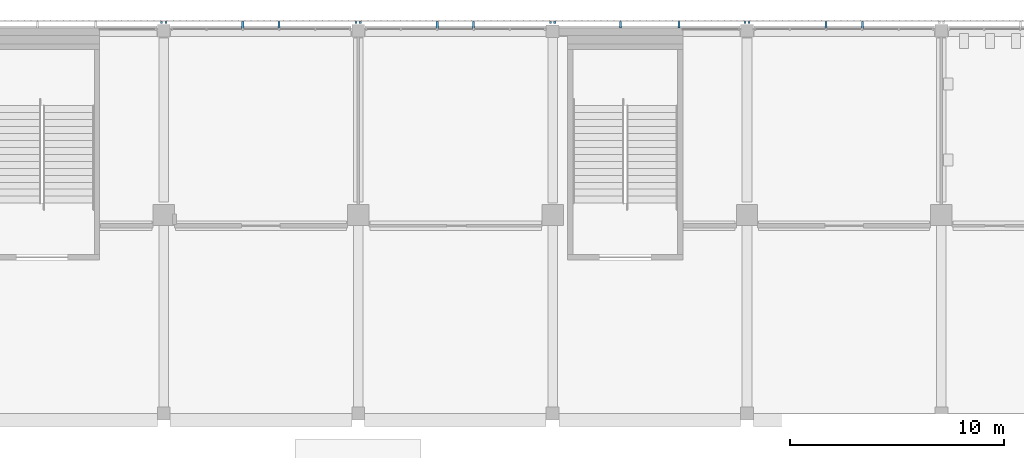
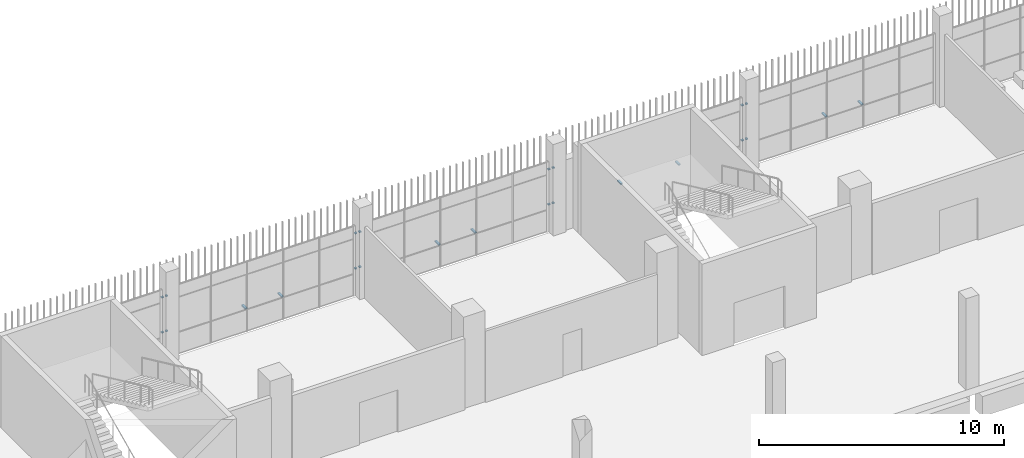
# One storey, part 102 of 126: 24 discrete accessories.
"""IFC4 building model written with IfcOpenShell, lengths in metres."""

from ifc_helpers import new_model, si_unit, direction, frame, origin, origin_2d, place, context, subcontext, project, spatial, rectangle, extrude, material, type_object, element, save


model = new_model("IFC4")

# Units and contexts
model_context = context("Model", 3, precision=1e-05, world=origin(), true_north=direction((0.0, 1.0)))
body_context = subcontext(model_context, "Body", "Model", "MODEL_VIEW")
ifc_project = project(units=[si_unit("LENGTHUNIT", "METRE"), si_unit("AREAUNIT", "SQUARE_METRE"), si_unit("VOLUMEUNIT", "CUBIC_METRE"), si_unit("PLANEANGLEUNIT", "RADIAN"), si_unit("MASSUNIT", "GRAM", prefix="KILO")], contexts=[model_context])

# Site, building, storey
site_placement = place(None, origin())
site = spatial("IfcSite", under=ifc_project, at=site_placement, CompositionType="ELEMENT")
building_placement = place(site_placement, origin())
building = spatial("IfcBuilding", under=site, at=building_placement, Name="Shirokan Park Arena", CompositionType="ELEMENT")
storey_placement = place(building_placement, frame((0.0, 0.0, 6.3701171875)))
storey = spatial("IfcBuildingStorey", under=building, at=storey_placement, Name="L01", CompositionType="ELEMENT", Elevation=6.3701171875)

# Discrete accessories
ifc_material = material(Name="Steel S355", Category="steel")
discrete_accessory_type = type_object("IfcDiscreteAccessoryType", Name="Veil bracket 100x60", PredefinedType="BRACKET", material=ifc_material)
for number, where, z_axis, x_axis, name in (
    (1, (91.10009765625, 109.597412109375, 1.06982421875), (0.0, 0.0, 1.0), (-1.0, 0.0, 0.0), "Veil bracket north bay 6 L01 2"),
    (2, (91.10009765625, 109.597412109375, 2.81982421875), (0.0, 0.0, 1.0), (-1.0, 0.0, 0.0), "Veil bracket north bay 6 L01 4"),
):
    element("IfcDiscreteAccessory", number, at=place(storey_placement, frame(where, z_axis=z_axis, x_axis=x_axis)), inside=storey, type_object=discrete_accessory_type, Name=name, PredefinedType="BRACKET", context=body_context, shape_type="SweptSolid", body=[
        extrude(rectangle(XDim=0.10009765625, YDim=0.094970703125, at=origin_2d()), origin(), (0.0, 0.0, 1.0), 0.06005859375),
    ])
for number, where, z_axis, x_axis, name in (
    (3, (96.39990234375, 109.485107421875, 1.06982421875), (0.0, 0.0, 1.0), (-1.0, 0.0, 0.0), "Veil bracket north bay 6 L01 wall 1"),
    (4, (94.699951171875, 109.485107421875, 1.06982421875), (0.0, 0.0, 1.0), (-1.0, 0.0, 0.0), "Veil bracket north bay 6 L01 wall 2"),
):
    element("IfcDiscreteAccessory", number, at=place(storey_placement, frame(where, z_axis=z_axis, x_axis=x_axis)), inside=storey, type_object=discrete_accessory_type, Name=name, PredefinedType="BRACKET", context=body_context, shape_type="SweptSolid", body=[
        extrude(rectangle(XDim=0.10009765625, YDim=0.320068359375, at=origin_2d()), origin(), (0.0, 0.0, 1.0), 0.06005859375),
    ])
for number, where, z_axis, x_axis, name in (
    (5, (90.89990234375, 109.597412109375, 1.06982421875), (0.0, 0.0, 1.0), (-1.0, 0.0, 0.0), "Veil bracket north bay 7 L01 1"),
    (6, (82.0, 109.597412109375, 1.06982421875), (0.0, 0.0, 1.0), (-1.0, 0.0, 0.0), "Veil bracket north bay 7 L01 2"),
    (7, (90.89990234375, 109.597412109375, 2.81982421875), (0.0, 0.0, 1.0), (-1.0, 0.0, 0.0), "Veil bracket north bay 7 L01 3"),
    (8, (82.0, 109.597412109375, 2.81982421875), (0.0, 0.0, 1.0), (-1.0, 0.0, 0.0), "Veil bracket north bay 7 L01 4"),
):
    element("IfcDiscreteAccessory", number, at=place(storey_placement, frame(where, z_axis=z_axis, x_axis=x_axis)), inside=storey, type_object=discrete_accessory_type, Name=name, PredefinedType="BRACKET", context=body_context, shape_type="SweptSolid", body=[
        extrude(rectangle(XDim=0.10009765625, YDim=0.094970703125, at=origin_2d()), origin(), (0.0, 0.0, 1.0), 0.06005859375),
    ])
for number, where, z_axis, x_axis, name in (
    (9, (87.81494140625, 109.49755859375, 1.06982421875), (0.0, 0.0, 1.0), (-1.0, 0.0, 0.0), "Veil bracket north bay 7 L01 wall 1"),
    (10, (85.0849609375, 109.49755859375, 1.06982421875), (0.0, 0.0, 1.0), (-1.0, 0.0, 0.0), "Veil bracket north bay 7 L01 wall 2"),
):
    element("IfcDiscreteAccessory", number, at=place(storey_placement, frame(where, z_axis=z_axis, x_axis=x_axis)), inside=storey, type_object=discrete_accessory_type, Name=name, PredefinedType="BRACKET", context=body_context, shape_type="SweptSolid", body=[
        extrude(rectangle(XDim=0.10009765625, YDim=0.294921875, at=origin_2d()), origin(), (0.0, 0.0, 1.0), 0.06005859375),
    ])
for number, where, z_axis, x_axis, name in (
    (11, (81.800048828125, 109.597412109375, 1.06982421875), (0.0, 0.0, 1.0), (-1.0, 0.0, 0.0), "Veil bracket north bay 8 L01 1"),
    (12, (72.89990234375, 109.597412109375, 1.06982421875), (0.0, 0.0, 1.0), (-1.0, 0.0, 0.0), "Veil bracket north bay 8 L01 2"),
    (13, (81.800048828125, 109.597412109375, 2.81982421875), (0.0, 0.0, 1.0), (-1.0, 0.0, 0.0), "Veil bracket north bay 8 L01 3"),
    (14, (72.89990234375, 109.597412109375, 2.81982421875), (0.0, 0.0, 1.0), (-1.0, 0.0, 0.0), "Veil bracket north bay 8 L01 4"),
):
    element("IfcDiscreteAccessory", number, at=place(storey_placement, frame(where, z_axis=z_axis, x_axis=x_axis)), inside=storey, type_object=discrete_accessory_type, Name=name, PredefinedType="BRACKET", context=body_context, shape_type="SweptSolid", body=[
        extrude(rectangle(XDim=0.10009765625, YDim=0.094970703125, at=origin_2d()), origin(), (0.0, 0.0, 1.0), 0.06005859375),
    ])
for number, where, z_axis, x_axis, name in (
    (15, (78.199951171875, 109.485107421875, 1.06982421875), (0.0, 0.0, 1.0), (-1.0, 0.0, 0.0), "Veil bracket north bay 8 L01 wall 1"),
    (16, (76.5, 109.485107421875, 1.06982421875), (0.0, 0.0, 1.0), (-1.0, 0.0, 0.0), "Veil bracket north bay 8 L01 wall 2"),
):
    element("IfcDiscreteAccessory", number, at=place(storey_placement, frame(where, z_axis=z_axis, x_axis=x_axis)), inside=storey, type_object=discrete_accessory_type, Name=name, PredefinedType="BRACKET", context=body_context, shape_type="SweptSolid", body=[
        extrude(rectangle(XDim=0.10009765625, YDim=0.320068359375, at=origin_2d()), origin(), (0.0, 0.0, 1.0), 0.06005859375),
    ])
for number, where, z_axis, x_axis, name in (
    (17, (72.699951171875, 109.597412109375, 1.06982421875), (0.0, 0.0, 1.0), (-1.0, 0.0, 0.0), "Veil bracket north bay 9 L01 1"),
    (18, (63.800048828125, 109.597412109375, 1.06982421875), (0.0, 0.0, 1.0), (-1.0, 0.0, 0.0), "Veil bracket north bay 9 L01 2"),
    (19, (72.699951171875, 109.597412109375, 2.81982421875), (0.0, 0.0, 1.0), (-1.0, 0.0, 0.0), "Veil bracket north bay 9 L01 3"),
    (20, (63.800048828125, 109.597412109375, 2.81982421875), (0.0, 0.0, 1.0), (-1.0, 0.0, 0.0), "Veil bracket north bay 9 L01 4"),
):
    element("IfcDiscreteAccessory", number, at=place(storey_placement, frame(where, z_axis=z_axis, x_axis=x_axis)), inside=storey, type_object=discrete_accessory_type, Name=name, PredefinedType="BRACKET", context=body_context, shape_type="SweptSolid", body=[
        extrude(rectangle(XDim=0.10009765625, YDim=0.094970703125, at=origin_2d()), origin(), (0.0, 0.0, 1.0), 0.06005859375),
    ])
for number, where, z_axis, x_axis, name in (
    (21, (69.10009765625, 109.485107421875, 1.06982421875), (0.0, 0.0, 1.0), (-1.0, 0.0, 0.0), "Veil bracket north bay 9 L01 wall 1"),
    (22, (67.39990234375, 109.485107421875, 1.06982421875), (0.0, 0.0, 1.0), (-1.0, 0.0, 0.0), "Veil bracket north bay 9 L01 wall 2"),
):
    element("IfcDiscreteAccessory", number, at=place(storey_placement, frame(where, z_axis=z_axis, x_axis=x_axis)), inside=storey, type_object=discrete_accessory_type, Name=name, PredefinedType="BRACKET", context=body_context, shape_type="SweptSolid", body=[
        extrude(rectangle(XDim=0.10009765625, YDim=0.320068359375, at=origin_2d()), origin(), (0.0, 0.0, 1.0), 0.06005859375),
    ])
for number, where, z_axis, x_axis, name in (
    (23, (63.60009765625, 109.597412109375, 1.06982421875), (0.0, 0.0, 1.0), (-1.0, 0.0, 0.0), "Veil bracket north bay 10 L01 1"),
    (24, (63.60009765625, 109.597412109375, 2.81982421875), (0.0, 0.0, 1.0), (-1.0, 0.0, 0.0), "Veil bracket north bay 10 L01 3"),
):
    element("IfcDiscreteAccessory", number, at=place(storey_placement, frame(where, z_axis=z_axis, x_axis=x_axis)), inside=storey, type_object=discrete_accessory_type, Name=name, PredefinedType="BRACKET", context=body_context, shape_type="SweptSolid", body=[
        extrude(rectangle(XDim=0.10009765625, YDim=0.094970703125, at=origin_2d()), origin(), (0.0, 0.0, 1.0), 0.06005859375),
    ])

save(model, "model.ifc")
